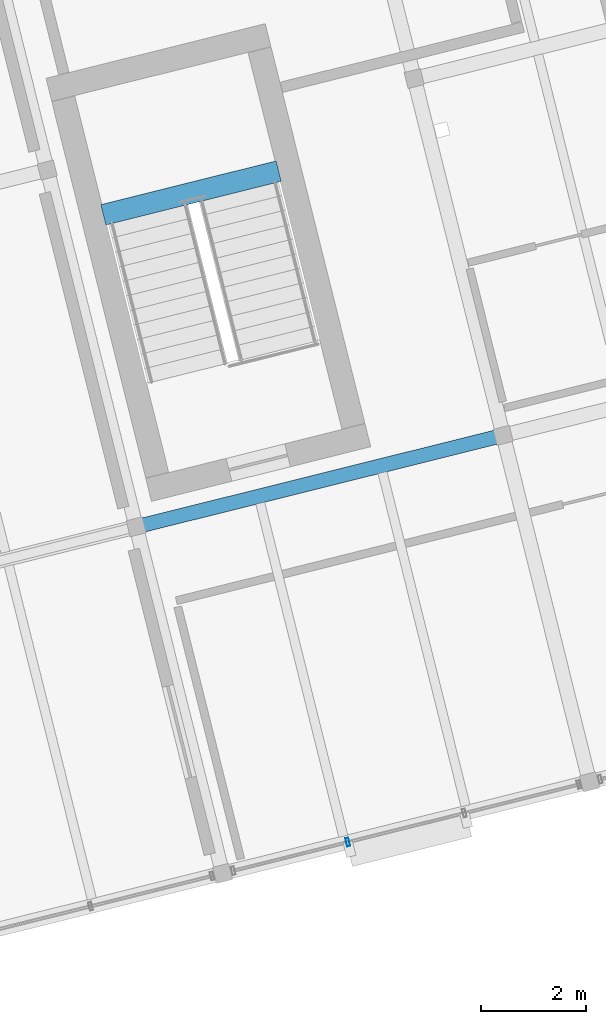
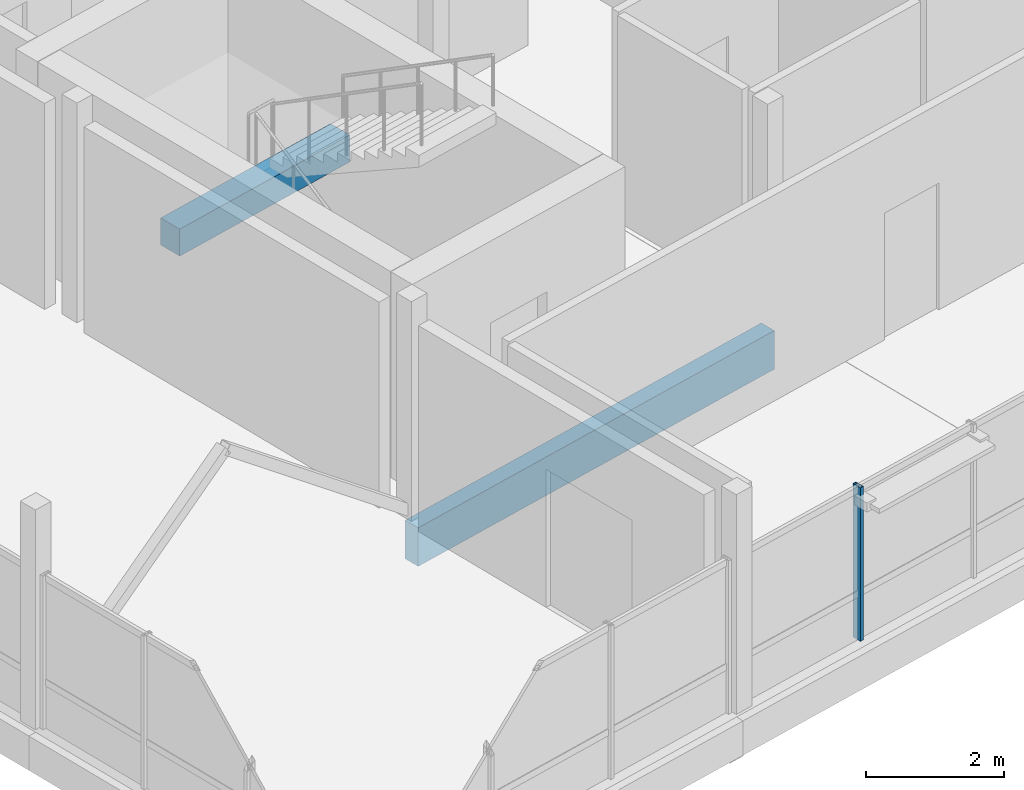
# One storey, part 5 of 24: 2 beams, 1 member, 1 element without a shape of its own.
"""IFC4 building model written with IfcOpenShell, lengths in metres."""

import ifcopenshell
import ifcopenshell.guid

model = None  # the IFC model being written
_history = None  # IfcOwnerHistory: only IFC2X3 demands one
_inside = {}  # id of a spatial element -> (the spatial element, [elements in it])
_under = {}  # id of a project, library or spatial element -> (it, [spatial elements below it])
_declared = {}  # id of a project -> (the project, [libraries it declares])
_typed = {}  # id of a type object -> (the type object, [elements of that type])
_made_of = {}  # id of a material, layer set ... -> (it, [elements and type objects made of it])


def new_model(schema):
    """Start an empty IFC model of exactly this schema.

    Asked for "IFC4X3", IfcOpenShell would pick the latest addendum, in which some entities
    have other attributes; the version numbers below select the first issue.
    IFC2X3 requires an IfcOwnerHistory on every rooted entity: one is made here for all.
    """
    global model, _history
    if schema == "IFC4X3":
        model = ifcopenshell.file(schema_version=(4, 3, 0, 0))
    else:
        model = ifcopenshell.file(schema=schema)
    _inside.clear()
    _under.clear()
    _declared.clear()
    _typed.clear()
    _made_of.clear()
    _history = None
    if model.schema == "IFC2X3":
        org = make("IfcOrganization", Name="unknown")
        user = make(
            "IfcPersonAndOrganization",
            ThePerson=make("IfcPerson", FamilyName="unknown"),
            TheOrganization=org,
        )
        app = make(
            "IfcApplication",
            ApplicationDeveloper=org,
            Version="unknown",
            ApplicationFullName="unknown",
            ApplicationIdentifier="unknown",
        )
        _history = make(
            "IfcOwnerHistory",
            OwningUser=user,
            OwningApplication=app,
            ChangeAction="ADDED",
            CreationDate=0,
        )
    return model


def make(cls, **values):
    """One entity of the class cls with the attributes given. An attribute that is None is left unset."""
    return model.create_entity(
        cls, **{name: value for name, value in values.items() if value is not None}
    )


def rooted(cls, **values):
    """An entity with a GlobalId (a new one), such as an element, a storey or a relation."""
    return make(cls, GlobalId=ifcopenshell.guid.new(), OwnerHistory=_history, **values)


def si_unit(unit_type, name, prefix=None):
    """IfcSIUnit, for example si_unit("LENGTHUNIT", "METRE", prefix="MILLI")."""
    return make("IfcSIUnit", UnitType=unit_type, Prefix=prefix, Name=name)


def assignment(units):
    """IfcUnitAssignment: the units of a project."""
    return None if units is None else make("IfcUnitAssignment", Units=units)


def point(xyz):
    """IfcCartesianPoint."""
    return None if xyz is None else make("IfcCartesianPoint", Coordinates=xyz)


def direction(xyz):
    """IfcDirection."""
    return None if xyz is None else make("IfcDirection", DirectionRatios=xyz)


def frame(location, z_axis=None, x_axis=None):
    """IfcAxis2Placement3D, a coordinate frame: its origin and axes. An axis left out is left unset."""
    return make(
        "IfcAxis2Placement3D",
        Location=point(location),
        Axis=direction(z_axis),
        RefDirection=direction(x_axis),
    )


def frame_2d(location, x_axis=None):
    """IfcAxis2Placement2D, a coordinate frame in the plane: its origin and x axis."""
    return make(
        "IfcAxis2Placement2D", Location=point(location), RefDirection=direction(x_axis)
    )


def origin():
    """The frame at (0, 0, 0) with its axes left unset."""
    return frame((0.0, 0.0, 0.0))


def origin_2d():
    """The frame at (0, 0) in the plane with its x axis left unset."""
    return frame_2d((0.0, 0.0))


def place(relative_to, where):
    """IfcLocalPlacement: puts the frame where relative to a parent placement (None: the world)."""
    return make(
        "IfcLocalPlacement", PlacementRelTo=relative_to, RelativePlacement=where
    )


def context(
    kind, dimensions, precision=None, world=None, true_north=None, identifier=None
):
    """IfcGeometricRepresentationContext, for example the 3D "Model" context."""
    return make(
        "IfcGeometricRepresentationContext",
        ContextIdentifier=identifier,
        ContextType=kind,
        CoordinateSpaceDimension=dimensions,
        Precision=precision,
        WorldCoordinateSystem=world,
        TrueNorth=true_north,
    )


def subcontext(parent, identifier, kind, view, scale=None):
    """IfcGeometricRepresentationSubContext, for example "Body" below "Model"."""
    return make(
        "IfcGeometricRepresentationSubContext",
        ContextIdentifier=identifier,
        ContextType=kind,
        ParentContext=parent,
        TargetScale=scale,
        TargetView=view,
    )


def project(units=None, contexts=None):
    """IfcProject with its units and contexts."""
    return rooted(
        "IfcProject",
        Name="project",
        RepresentationContexts=contexts,
        UnitsInContext=assignment(units),
    )


def spatial(cls, under=None, at=None, **own):
    """A site, building, storey or space (cls), placed at a placement, below another one or the project."""
    s = rooted(cls, ObjectPlacement=at, **own)
    if under is not None:
        _under.setdefault(under.id(), (under, []))[1].append(s)
    return s


def profile(cls, at=None, kind="AREA", **sizes):
    """A parametric profile (cls). Its sizes go by their IFC names, for example OverallWidth=200.0."""
    return make(cls, ProfileType=kind, Position=at, **sizes)


def rectangle(**sizes):
    """IfcRectangleProfileDef."""
    return profile("IfcRectangleProfileDef", **sizes)


def hollow_rectangle(**sizes):
    """IfcRectangleHollowProfileDef."""
    return profile("IfcRectangleHollowProfileDef", **sizes)


def extrude(swept, where, along, depth):
    """IfcExtrudedAreaSolid: the profile swept, set in the frame where, extruded along a direction by depth."""
    return make(
        "IfcExtrudedAreaSolid",
        SweptArea=swept,
        Position=where,
        ExtrudedDirection=direction(along),
        Depth=depth,
    )


def shape(context_of_items, identifier, shape_type, items):
    """IfcShapeRepresentation: the items that make up one representation, for example the "Body"."""
    return make(
        "IfcShapeRepresentation",
        ContextOfItems=context_of_items,
        RepresentationIdentifier=identifier,
        RepresentationType=shape_type,
        Items=items,
    )


def material(Name=None, Category=None):
    """IfcMaterial."""
    return make("IfcMaterial", Name=Name, Category=Category)


def layer(
    of_material, thickness, ventilated=None, Name=None, Category=None, Priority=None
):
    """IfcMaterialLayer: one layer of a wall or slab, of a material (None: an air gap)."""
    return make(
        "IfcMaterialLayer",
        Material=of_material,
        LayerThickness=thickness,
        IsVentilated=ventilated,
        Name=Name,
        Category=Category,
        Priority=Priority,
    )


def layer_set(layers, Name=None):
    """IfcMaterialLayerSet."""
    return make("IfcMaterialLayerSet", MaterialLayers=layers, LayerSetName=Name)


def material_profile(
    of_material, cross_section, Name=None, Category=None, Priority=None
):
    """IfcMaterialProfile: a cross section and its material."""
    return make(
        "IfcMaterialProfile",
        Name=Name,
        Material=of_material,
        Profile=cross_section,
        Priority=Priority,
        Category=Category,
    )


def profile_set(profiles, Name=None, composite=None):
    """IfcMaterialProfileSet."""
    return make(
        "IfcMaterialProfileSet",
        Name=Name,
        MaterialProfiles=profiles,
        CompositeProfile=composite,
    )


def made_of(thing, what):
    """Note that an element or type object is made of a material, layer set ...; save() writes the relation."""
    if what is not None:
        _made_of.setdefault(what.id(), (what, []))[1].append(thing)
    return thing


def type_object(cls, material=None, **own):
    """A type object (cls), such as IfcWallType, which elements share."""
    return made_of(rooted(cls, **own), material)


def element(
    cls,
    number,
    at=None,
    inside=None,
    cuts=None,
    type_object=None,
    material=None,
    context=None,
    identifier="Body",
    shape_type=None,
    held_by="IfcProductDefinitionShape",
    body=None,
    shapes=None,
    **own,
):
    """One element of the class cls, such as IfcWall. Its Tag is "e" and its number.

    at: its placement. inside: the storey or other place that contains it. cuts: it is an
    opening in that element (IfcRelVoidsElement). A single representation is given by context,
    identifier, shape_type and body (its items); several are given by shapes. held_by: the class
    of the entity that holds the representations. save() writes the other relations.
    """
    e = rooted(cls, Tag="e%d" % number, ObjectPlacement=at, **own)
    if body is not None:
        shapes = [shape(context, identifier, shape_type, body)]
    if shapes is not None:
        e.Representation = make(held_by, Representations=shapes)
    if inside is not None:
        _inside.setdefault(inside.id(), (inside, []))[1].append(e)
    if cuts is not None:
        rooted(
            "IfcRelVoidsElement", RelatingBuildingElement=cuts, RelatedOpeningElement=e
        )
    if type_object is not None:
        _typed.setdefault(type_object.id(), (type_object, []))[1].append(e)
    return made_of(e, material)


def aggregate(whole, parts):
    """IfcRelAggregates: a whole, such as a stair, and the parts it consists of."""
    return rooted("IfcRelAggregates", RelatingObject=whole, RelatedObjects=parts)


def save(model, path):
    """Write the relations noted so far, then the file.

    IfcRelAggregates (storeys below a building ...), IfcRelContainedInSpatialStructure (elements
    in a storey), IfcRelDefinesByType, IfcRelAssociatesMaterial and IfcRelDeclares: one each for
    every whole, place, type object, material and project.
    """
    for whole, parts in _under.values():
        aggregate(whole, parts)
    for where, things in _inside.values():
        rooted(
            "IfcRelContainedInSpatialStructure",
            RelatedElements=things,
            RelatingStructure=where,
        )
    for kind, things in _typed.values():
        rooted("IfcRelDefinesByType", RelatedObjects=things, RelatingType=kind)
    for what, things in _made_of.values():
        rooted("IfcRelAssociatesMaterial", RelatedObjects=things, RelatingMaterial=what)
    for by, libraries in _declared.values():
        rooted("IfcRelDeclares", RelatingContext=by, RelatedDefinitions=libraries)
    model.write(path)


model = new_model("IFC4")

# Units and contexts
model_context = context("Model", 3, precision=1e-05, world=origin(), true_north=direction((0.0, 1.0)))
body_context = subcontext(model_context, "Body", "Model", "MODEL_VIEW")
ifc_project = project(units=[si_unit("LENGTHUNIT", "METRE"), si_unit("AREAUNIT", "SQUARE_METRE"), si_unit("VOLUMEUNIT", "CUBIC_METRE"), si_unit("PLANEANGLEUNIT", "RADIAN"), si_unit("MASSUNIT", "GRAM", prefix="KILO")], contexts=[model_context])

# Site, building, storey
site_placement = place(None, origin())
site = spatial("IfcSite", under=ifc_project, at=site_placement, CompositionType="ELEMENT")
building_placement = place(site_placement, origin())
building = spatial("IfcBuilding", under=site, at=building_placement, Name="Meriwether Solvik Hall", CompositionType="ELEMENT")
storey_placement = place(building_placement, frame((0.0, 0.0, 57.300048828125)))
storey = spatial("IfcBuildingStorey", under=building, at=storey_placement, Name="L14", CompositionType="ELEMENT", Elevation=57.300048828125)

# Beams
ifc_material_1 = material(Name="Glulam Douglas-Fir 24F-V8 GL28h", Category="wood")
ifc_material_profile_1 = material_profile(ifc_material_1, rectangle(XDim=0.27294921875, YDim=0.68505859375, at=origin_2d()), Name="GLB-273X685")
ifc_profile_set_1 = profile_set([ifc_material_profile_1], Name="Glulam Douglas-Fir 24F-V8 GL28h")
beam_type_1 = type_object("IfcBeamType", Name="BM-GL-273X685", PredefinedType="BEAM", material=ifc_profile_set_1)
beam_1_placement = place(storey_placement, frame((74.3291015625, 49.63671875, -0.54248046875), z_axis=(0.970301855688, 0.241897310542, 0.0), x_axis=(-0.241897310542, 0.970301855688, 0.0)))
element("IfcBeam", 1, at=beam_1_placement, inside=storey, type_object=beam_type_1, Name="Tower Girder TB:T2-T3 (L14)", PredefinedType="BEAM", context=body_context, shape_type="SweptSolid", body=[
    extrude(rectangle(XDim=0.27294921875, YDim=0.68505859375, at=origin_2d()), origin(), (0.0, 0.0, 1.0), 7.2001953125),
])
ifc_material_2 = material(Name="Concrete C40/50", Category="concrete")
ifc_material_profile_2 = material_profile(ifc_material_2, rectangle(XDim=0.39990234375, YDim=0.47998046875, at=origin_2d()), Name="RCB-400X480")
ifc_profile_set_2 = profile_set([ifc_material_profile_2], Name="Concrete C40/50")
beam_type_2 = type_object("IfcBeamType", Name="BM-LND-RC-400X480", PredefinedType="BEAM", material=ifc_profile_set_2)
beam_2_placement = place(storey_placement, frame((73.70361328125, 55.57666015625, 1.510009765625), z_axis=(0.970288447449, 0.24195108751, 0.0), x_axis=(-0.24195108751, 0.970288447449, 0.0)))
element("IfcBeam", 2, at=beam_2_placement, inside=storey, type_object=beam_type_2, Name="Stair ST-01 Half-Landing Header Beam (L14)", PredefinedType="BEAM", context=body_context, shape_type="SweptSolid", body=[
    extrude(rectangle(XDim=0.39990234375, YDim=0.47998046875, at=origin_2d()), origin(), (0.0, 0.0, 1.0), 3.43994140625),
])

# Curtain wall, member
ifc_material_3 = material(Name="Thermally Broken Anodised Aluminium 6063-T6 and Low-E Glass", Category="aluminium")
ifc_layer = layer(ifc_material_3, 0.179931640625)
ifc_layer_set = layer_set([ifc_layer], Name="Thermally Broken Anodised Aluminium 6063-T6 and Low-E Glass")
curtain_wall_type = type_object("IfcCurtainWallType", Name="CW-UNIT-F", PredefinedType="USERDEFINED", material=ifc_layer_set)
curtain_wall_placement = place(storey_placement, origin())
curtain_wall = element("IfcCurtainWall", 3, at=curtain_wall_placement, inside=storey, type_object=curtain_wall_type, Name="Curtain Wall E0_B1 (L14)", ObjectType="UNITISED CURTAIN WALL", PredefinedType="USERDEFINED")
ifc_material_4 = material(Name="Anodised Aluminium 6063-T6", Category="aluminium")
ifc_material_profile_3 = material_profile(ifc_material_4, hollow_rectangle(XDim=0.06005859375, YDim=0.159912109375, WallThickness=0.00390625, at=origin_2d()), Name="CWM-60X160")
ifc_profile_set_3 = profile_set([ifc_material_profile_3], Name="Anodised Aluminium 6063-T6")
member_type = type_object("IfcMemberType", Name="CW-MUL-60X160", PredefinedType="MULLION", material=ifc_profile_set_3)
member_placement = place(storey_placement, frame((78.357666015625, 43.6328125, 0.0), z_axis=(0.0, 0.0, 1.0), x_axis=(-0.970295730764, -0.241921877598, 0.0)))
member = element("IfcMember", 4, at=member_placement, type_object=member_type, Name="Curtain Wall Mullion 3", PredefinedType="MULLION", context=body_context, shape_type="SweptSolid", body=[
    extrude(hollow_rectangle(XDim=0.06005859375, YDim=0.159912109375, WallThickness=0.00390625, at=origin_2d()), origin(), (0.0, 0.0, 1.0), 2.724853515625),
])
aggregate(curtain_wall, [member])

save(model, "model.ifc")
